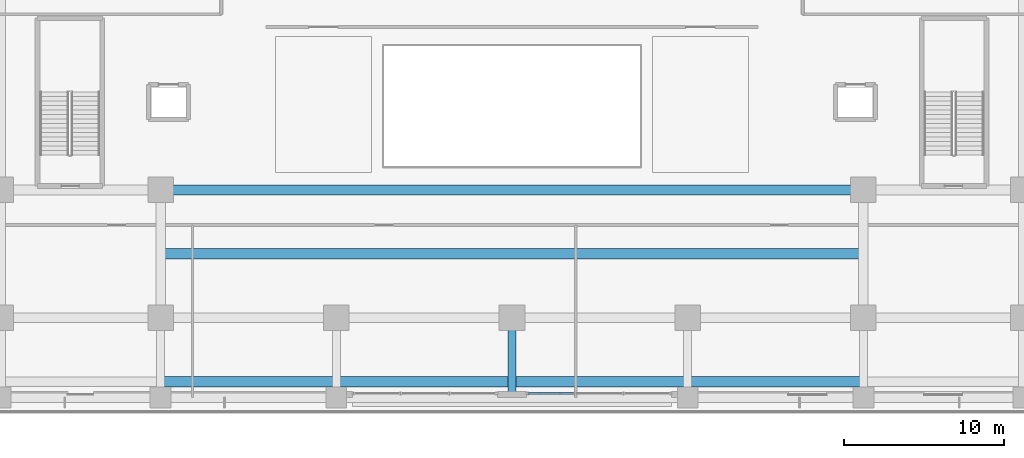
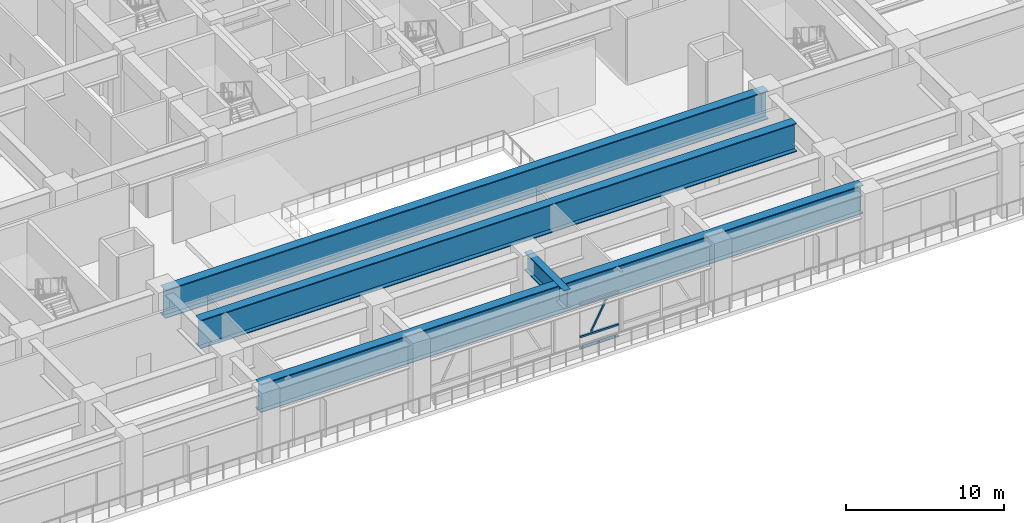
# One storey, part 5 of 28: 4 beams, 4 members, 1 element without a shape of its own.
"""IFC4 building model written with IfcOpenShell, lengths in metres."""

import ifcopenshell
import ifcopenshell.guid

model = None  # the IFC model being written
_history = None  # IfcOwnerHistory: only IFC2X3 demands one
_inside = {}  # id of a spatial element -> (the spatial element, [elements in it])
_under = {}  # id of a project, library or spatial element -> (it, [spatial elements below it])
_declared = {}  # id of a project -> (the project, [libraries it declares])
_typed = {}  # id of a type object -> (the type object, [elements of that type])
_made_of = {}  # id of a material, layer set ... -> (it, [elements and type objects made of it])


def new_model(schema):
    """Start an empty IFC model of exactly this schema.

    Asked for "IFC4X3", IfcOpenShell would pick the latest addendum, in which some entities
    have other attributes; the version numbers below select the first issue.
    IFC2X3 requires an IfcOwnerHistory on every rooted entity: one is made here for all.
    """
    global model, _history
    if schema == "IFC4X3":
        model = ifcopenshell.file(schema_version=(4, 3, 0, 0))
    else:
        model = ifcopenshell.file(schema=schema)
    _inside.clear()
    _under.clear()
    _declared.clear()
    _typed.clear()
    _made_of.clear()
    _history = None
    if model.schema == "IFC2X3":
        org = make("IfcOrganization", Name="unknown")
        user = make(
            "IfcPersonAndOrganization",
            ThePerson=make("IfcPerson", FamilyName="unknown"),
            TheOrganization=org,
        )
        app = make(
            "IfcApplication",
            ApplicationDeveloper=org,
            Version="unknown",
            ApplicationFullName="unknown",
            ApplicationIdentifier="unknown",
        )
        _history = make(
            "IfcOwnerHistory",
            OwningUser=user,
            OwningApplication=app,
            ChangeAction="ADDED",
            CreationDate=0,
        )
    return model


def make(cls, **values):
    """One entity of the class cls with the attributes given. An attribute that is None is left unset."""
    return model.create_entity(
        cls, **{name: value for name, value in values.items() if value is not None}
    )


def rooted(cls, **values):
    """An entity with a GlobalId (a new one), such as an element, a storey or a relation."""
    return make(cls, GlobalId=ifcopenshell.guid.new(), OwnerHistory=_history, **values)


def si_unit(unit_type, name, prefix=None):
    """IfcSIUnit, for example si_unit("LENGTHUNIT", "METRE", prefix="MILLI")."""
    return make("IfcSIUnit", UnitType=unit_type, Prefix=prefix, Name=name)


def assignment(units):
    """IfcUnitAssignment: the units of a project."""
    return None if units is None else make("IfcUnitAssignment", Units=units)


def point(xyz):
    """IfcCartesianPoint."""
    return None if xyz is None else make("IfcCartesianPoint", Coordinates=xyz)


def direction(xyz):
    """IfcDirection."""
    return None if xyz is None else make("IfcDirection", DirectionRatios=xyz)


def frame(location, z_axis=None, x_axis=None):
    """IfcAxis2Placement3D, a coordinate frame: its origin and axes. An axis left out is left unset."""
    return make(
        "IfcAxis2Placement3D",
        Location=point(location),
        Axis=direction(z_axis),
        RefDirection=direction(x_axis),
    )


def frame_2d(location, x_axis=None):
    """IfcAxis2Placement2D, a coordinate frame in the plane: its origin and x axis."""
    return make(
        "IfcAxis2Placement2D", Location=point(location), RefDirection=direction(x_axis)
    )


def origin():
    """The frame at (0, 0, 0) with its axes left unset."""
    return frame((0.0, 0.0, 0.0))


def origin_2d():
    """The frame at (0, 0) in the plane with its x axis left unset."""
    return frame_2d((0.0, 0.0))


def place(relative_to, where):
    """IfcLocalPlacement: puts the frame where relative to a parent placement (None: the world)."""
    return make(
        "IfcLocalPlacement", PlacementRelTo=relative_to, RelativePlacement=where
    )


def context(
    kind, dimensions, precision=None, world=None, true_north=None, identifier=None
):
    """IfcGeometricRepresentationContext, for example the 3D "Model" context."""
    return make(
        "IfcGeometricRepresentationContext",
        ContextIdentifier=identifier,
        ContextType=kind,
        CoordinateSpaceDimension=dimensions,
        Precision=precision,
        WorldCoordinateSystem=world,
        TrueNorth=true_north,
    )


def subcontext(parent, identifier, kind, view, scale=None):
    """IfcGeometricRepresentationSubContext, for example "Body" below "Model"."""
    return make(
        "IfcGeometricRepresentationSubContext",
        ContextIdentifier=identifier,
        ContextType=kind,
        ParentContext=parent,
        TargetScale=scale,
        TargetView=view,
    )


def project(units=None, contexts=None):
    """IfcProject with its units and contexts."""
    return rooted(
        "IfcProject",
        Name="project",
        RepresentationContexts=contexts,
        UnitsInContext=assignment(units),
    )


def spatial(cls, under=None, at=None, **own):
    """A site, building, storey or space (cls), placed at a placement, below another one or the project."""
    s = rooted(cls, ObjectPlacement=at, **own)
    if under is not None:
        _under.setdefault(under.id(), (under, []))[1].append(s)
    return s


def profile(cls, at=None, kind="AREA", **sizes):
    """A parametric profile (cls). Its sizes go by their IFC names, for example OverallWidth=200.0."""
    return make(cls, ProfileType=kind, Position=at, **sizes)


def hollow_rectangle(**sizes):
    """IfcRectangleHollowProfileDef."""
    return profile("IfcRectangleHollowProfileDef", **sizes)


def i_section(**sizes):
    """IfcIShapeProfileDef."""
    return profile("IfcIShapeProfileDef", **sizes)


def extrude(swept, where, along, depth):
    """IfcExtrudedAreaSolid: the profile swept, set in the frame where, extruded along a direction by depth."""
    return make(
        "IfcExtrudedAreaSolid",
        SweptArea=swept,
        Position=where,
        ExtrudedDirection=direction(along),
        Depth=depth,
    )


def shape(context_of_items, identifier, shape_type, items):
    """IfcShapeRepresentation: the items that make up one representation, for example the "Body"."""
    return make(
        "IfcShapeRepresentation",
        ContextOfItems=context_of_items,
        RepresentationIdentifier=identifier,
        RepresentationType=shape_type,
        Items=items,
    )


def source(mapping_origin, context_of_items, identifier, shape_type, items):
    """IfcRepresentationMap: a shape defined once, which mapped items show again and again."""
    return make(
        "IfcRepresentationMap",
        MappingOrigin=mapping_origin,
        MappedRepresentation=shape(context_of_items, identifier, shape_type, items),
    )


def transform(
    local_origin,
    x_axis=None,
    y_axis=None,
    z_axis=None,
    scale=None,
    scale2=None,
    scale3=None,
    uniform=True,
):
    """IfcCartesianTransformationOperator3D, or its non-uniform kind. x_axis, y_axis, z_axis: its Axis1, 2, 3."""
    if uniform:
        return make(
            "IfcCartesianTransformationOperator3D",
            Axis1=direction(x_axis),
            Axis2=direction(y_axis),
            LocalOrigin=point(local_origin),
            Scale=scale,
            Axis3=direction(z_axis),
        )
    return make(
        "IfcCartesianTransformationOperator3DnonUniform",
        Axis1=direction(x_axis),
        Axis2=direction(y_axis),
        LocalOrigin=point(local_origin),
        Scale=scale,
        Axis3=direction(z_axis),
        Scale2=scale2,
        Scale3=scale3,
    )


def mapped(mapping_source, mapping_target):
    """IfcMappedItem: shows the shape of a source again, moved by a transform."""
    return make(
        "IfcMappedItem", MappingSource=mapping_source, MappingTarget=mapping_target
    )


def material(Name=None, Category=None):
    """IfcMaterial."""
    return make("IfcMaterial", Name=Name, Category=Category)


def material_profile(
    of_material, cross_section, Name=None, Category=None, Priority=None
):
    """IfcMaterialProfile: a cross section and its material."""
    return make(
        "IfcMaterialProfile",
        Name=Name,
        Material=of_material,
        Profile=cross_section,
        Priority=Priority,
        Category=Category,
    )


def profile_set(profiles, Name=None, composite=None):
    """IfcMaterialProfileSet."""
    return make(
        "IfcMaterialProfileSet",
        Name=Name,
        MaterialProfiles=profiles,
        CompositeProfile=composite,
    )


def made_of(thing, what):
    """Note that an element or type object is made of a material, layer set ...; save() writes the relation."""
    if what is not None:
        _made_of.setdefault(what.id(), (what, []))[1].append(thing)
    return thing


def type_object(cls, material=None, **own):
    """A type object (cls), such as IfcWallType, which elements share."""
    return made_of(rooted(cls, **own), material)


def element(
    cls,
    number,
    at=None,
    inside=None,
    cuts=None,
    type_object=None,
    material=None,
    context=None,
    identifier="Body",
    shape_type=None,
    held_by="IfcProductDefinitionShape",
    body=None,
    shapes=None,
    **own,
):
    """One element of the class cls, such as IfcWall. Its Tag is "e" and its number.

    at: its placement. inside: the storey or other place that contains it. cuts: it is an
    opening in that element (IfcRelVoidsElement). A single representation is given by context,
    identifier, shape_type and body (its items); several are given by shapes. held_by: the class
    of the entity that holds the representations. save() writes the other relations.
    """
    e = rooted(cls, Tag="e%d" % number, ObjectPlacement=at, **own)
    if body is not None:
        shapes = [shape(context, identifier, shape_type, body)]
    if shapes is not None:
        e.Representation = make(held_by, Representations=shapes)
    if inside is not None:
        _inside.setdefault(inside.id(), (inside, []))[1].append(e)
    if cuts is not None:
        rooted(
            "IfcRelVoidsElement", RelatingBuildingElement=cuts, RelatedOpeningElement=e
        )
    if type_object is not None:
        _typed.setdefault(type_object.id(), (type_object, []))[1].append(e)
    return made_of(e, material)


def aggregate(whole, parts):
    """IfcRelAggregates: a whole, such as a stair, and the parts it consists of."""
    return rooted("IfcRelAggregates", RelatingObject=whole, RelatedObjects=parts)


def save(model, path):
    """Write the relations noted so far, then the file.

    IfcRelAggregates (storeys below a building ...), IfcRelContainedInSpatialStructure (elements
    in a storey), IfcRelDefinesByType, IfcRelAssociatesMaterial and IfcRelDeclares: one each for
    every whole, place, type object, material and project.
    """
    for whole, parts in _under.values():
        aggregate(whole, parts)
    for where, things in _inside.values():
        rooted(
            "IfcRelContainedInSpatialStructure",
            RelatedElements=things,
            RelatingStructure=where,
        )
    for kind, things in _typed.values():
        rooted("IfcRelDefinesByType", RelatedObjects=things, RelatingType=kind)
    for what, things in _made_of.values():
        rooted("IfcRelAssociatesMaterial", RelatedObjects=things, RelatingMaterial=what)
    for by, libraries in _declared.values():
        rooted("IfcRelDeclares", RelatingContext=by, RelatedDefinitions=libraries)
    model.write(path)


model = new_model("IFC4")

# Units and contexts
model_context = context("Model", 3, precision=1e-05, world=origin(), true_north=direction((0.0, 1.0)))
body_context = subcontext(model_context, "Body", "Model", "MODEL_VIEW")
ifc_project = project(units=[si_unit("LENGTHUNIT", "METRE"), si_unit("AREAUNIT", "SQUARE_METRE"), si_unit("VOLUMEUNIT", "CUBIC_METRE"), si_unit("PLANEANGLEUNIT", "RADIAN"), si_unit("MASSUNIT", "GRAM", prefix="KILO")], contexts=[model_context])

# Site, building, storey
site_placement = place(None, origin())
site = spatial("IfcSite", under=ifc_project, at=site_placement, CompositionType="ELEMENT")
building_placement = place(site_placement, origin())
building = spatial("IfcBuilding", under=site, at=building_placement, Name="Khorayat Bourse Tower", CompositionType="ELEMENT")
storey_placement = place(building_placement, frame((0.0, 0.0, 6.60009765625)))
storey = spatial("IfcBuildingStorey", under=building, at=storey_placement, Name="L01", CompositionType="ELEMENT", Elevation=6.60009765625)

# Beams
ifc_material_1 = material(Name="Steel EN 10025-4 S460M", Category="steel")
ifc_material_profile_1 = material_profile(ifc_material_1, i_section(OverallWidth=0.64990234375, OverallDepth=2.199951171875, WebThickness=0.035888671875, FlangeThickness=0.06494140625, at=origin_2d()), Name="PG 2200x650x36x65")
ifc_profile_set_1 = profile_set([ifc_material_profile_1], Name="Steel EN 10025-4 S460M")
beam_type_1 = type_object("IfcBeamType", Name="BM-TR-2200", PredefinedType="BEAM", material=ifc_profile_set_1)
shared_shape_1 = source(origin(), body_context, "Body", "SweptSolid", [
    extrude(i_section(OverallWidth=0.64990234375, OverallDepth=2.199951171875, WebThickness=0.035888671875, FlangeThickness=0.06494140625, at=origin_2d()), origin(), (0.0, 0.0, 1.0), 44.0),
])
for number, where, z_axis, x_axis, name in (
    (1, (-22.0, -36.0, 3.97998046875), (1.0, 0.0, 0.0), (0.0, 1.0, 0.0), "L01 BM-TR-2200 BM-L01-PGX-033"),
    (2, (-22.0, -24.0, 3.97998046875), (1.0, 0.0, 0.0), (0.0, 1.0, 0.0), "L01 BM-TR-2200 BM-L01-PGX-046"),
):
    element("IfcBeam", number, at=place(storey_placement, frame(where, z_axis=z_axis, x_axis=x_axis)), inside=storey, type_object=beam_type_1, Name=name, PredefinedType="BEAM", context=body_context, shape_type="MappedRepresentation", body=[
        mapped(shared_shape_1, transform((0.0, 0.0, 0.0), scale=1.0)),
    ])
shared_shape_2 = source(origin(), body_context, "Body", "SweptSolid", [
    extrude(i_section(OverallWidth=0.64990234375, OverallDepth=2.199951171875, WebThickness=0.035888671875, FlangeThickness=0.06494140625, at=origin_2d()), origin(), (0.0, 0.0, 1.0), 43.52001953125),
])
beam_1_placement = place(storey_placement, frame((-21.760009765625, -28.0, 3.97998046875), z_axis=(1.0, 0.0, 0.0), x_axis=(0.0, 1.0, 0.0)))
element("IfcBeam", 3, at=beam_1_placement, inside=storey, type_object=beam_type_1, Name="L01 BM-TR-2200 BM-L01-HTR-167", PredefinedType="BEAM", context=body_context, shape_type="MappedRepresentation", body=[
    mapped(shared_shape_2, transform((0.0, 0.0, 0.0), scale=1.0)),
])
ifc_material_profile_2 = material_profile(ifc_material_1, i_section(OverallWidth=0.5, OverallDepth=1.39990234375, WebThickness=0.02490234375, FlangeThickness=0.050048828125, at=origin_2d()), Name="PG 1400x500x25x50")
ifc_profile_set_2 = profile_set([ifc_material_profile_2], Name="Steel EN 10025-4 S460M")
beam_type_2 = type_object("IfcBeamType", Name="BM-TR-1400", PredefinedType="BEAM", material=ifc_profile_set_2)
shared_shape_3 = source(origin(), body_context, "Body", "SweptSolid", [
    extrude(i_section(OverallWidth=0.5, OverallDepth=1.39990234375, WebThickness=0.02490234375, FlangeThickness=0.050048828125, at=origin_2d()), origin(), (0.0, 0.0, 1.0), 5.0),
])
beam_2_placement = place(storey_placement, frame((0.0, -37.0, 4.3798828125), z_axis=(0.0, 1.0, 0.0), x_axis=(-1.0, 0.0, 0.0)))
element("IfcBeam", 4, at=beam_2_placement, inside=storey, type_object=beam_type_2, Name="L01 BM-TR-1400 BM-L01-PGY-131", PredefinedType="BEAM", context=body_context, shape_type="MappedRepresentation", body=[
    mapped(shared_shape_3, transform((0.0, 0.0, 0.0), scale=1.0)),
])

# Curtain wall, members
ifc_material_2 = material(Name="Aluminium EN AW-6063 T6", Category="aluminium")
curtain_wall_type = type_object("IfcCurtainWallType", Name="CW-SYS-01", PredefinedType="NOTDEFINED", material=ifc_material_2)
curtain_wall_placement = place(storey_placement, origin())
curtain_wall = element("IfcCurtainWall", 5, at=curtain_wall_placement, inside=storey, type_object=curtain_wall_type, Name="L01 Curtain Wall CW-L01-SE", PredefinedType="NOTDEFINED")
ifc_material_profile_3 = material_profile(ifc_material_2, hollow_rectangle(XDim=0.1201171875, YDim=0.1201171875, WallThickness=0.0048828125, at=origin_2d()), Name="ALU 120x120x5")
ifc_profile_set_3 = profile_set([ifc_material_profile_3], Name="Aluminium EN AW-6063 T6")
member_type_1 = type_object("IfcMemberType", Name="CWM-DIAG-120", PredefinedType="MULLION", material=ifc_profile_set_3)
shared_shape_4 = source(origin(), body_context, "Body", "SweptSolid", [
    extrude(hollow_rectangle(XDim=0.1201171875, YDim=0.1201171875, WallThickness=0.0048828125, at=origin_2d()), origin(), (0.0, 0.0, 1.0), 2.52001953125),
])
member_1_placement = place(storey_placement, frame((1.86474609375, -36.742919921875, 1.099853515625), z_axis=(0.465794346287, 0.0, 0.884893003118), x_axis=(0.0, 1.0, 0.0)))
member_1 = element("IfcMember", 6, at=member_1_placement, type_object=member_type_1, Name="CW-L01-SE Faceted Diagonal Mullion 1", PredefinedType="MULLION", context=body_context, shape_type="MappedRepresentation", body=[
    mapped(shared_shape_4, transform((0.0, 0.0, 0.0), scale=1.0)),
])
ifc_material_profile_4 = material_profile(ifc_material_2, hollow_rectangle(XDim=0.139892578125, YDim=0.139892578125, WallThickness=0.006103515625, at=origin_2d()), Name="ALU 140x140x6")
ifc_profile_set_4 = profile_set([ifc_material_profile_4], Name="Aluminium EN AW-6063 T6")
member_type_2 = type_object("IfcMemberType", Name="CWT-HORZ-140", PredefinedType="USERDEFINED", material=ifc_profile_set_4)
shared_shape_5 = source(origin(), body_context, "Body", "SweptSolid", [
    extrude(hollow_rectangle(XDim=0.139892578125, YDim=0.139892578125, WallThickness=0.006103515625, at=origin_2d()), origin(), (0.0, 0.0, 1.0), 2.8232421875),
])
member_2_placement = place(storey_placement, frame((1.0400390625, -36.742919921875, 0.06982421875), z_axis=(1.0, 0.0, 0.0), x_axis=(0.0, 1.0, 0.0)))
member_2 = element("IfcMember", 7, at=member_2_placement, type_object=member_type_2, Name="CW-L01-SE Horizontal Transom 1-1", ObjectType="TRANSOM", PredefinedType="USERDEFINED", context=body_context, shape_type="MappedRepresentation", body=[
    mapped(shared_shape_5, transform((0.0, 0.0, 0.0), scale=1.0)),
])
member_3_placement = place(storey_placement, frame((1.0400390625, -36.742919921875, 0.949951171875), z_axis=(1.0, 0.0, 0.0), x_axis=(0.0, 1.0, 0.0)))
member_3 = element("IfcMember", 8, at=member_3_placement, type_object=member_type_2, Name="CW-L01-SE Horizontal Transom 1-2", ObjectType="TRANSOM", PredefinedType="USERDEFINED", context=body_context, shape_type="MappedRepresentation", body=[
    mapped(shared_shape_5, transform((0.0, 0.0, 0.0), scale=1.0)),
])
member_4_placement = place(storey_placement, frame((1.0400390625, -36.742919921875, 3.47998046875), z_axis=(1.0, 0.0, 0.0), x_axis=(0.0, 1.0, 0.0)))
member_4 = element("IfcMember", 9, at=member_4_placement, type_object=member_type_2, Name="CW-L01-SE Horizontal Transom 1-3", ObjectType="TRANSOM", PredefinedType="USERDEFINED", context=body_context, shape_type="MappedRepresentation", body=[
    mapped(shared_shape_5, transform((0.0, 0.0, 0.0), scale=1.0)),
])
aggregate(curtain_wall, [member_2, member_3, member_4, member_1])

save(model, "model.ifc")
